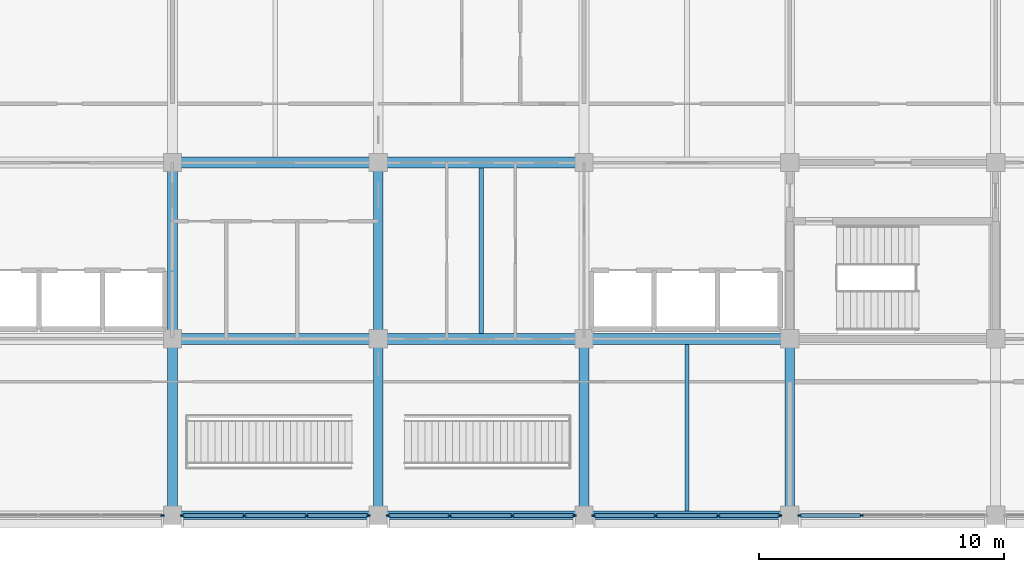
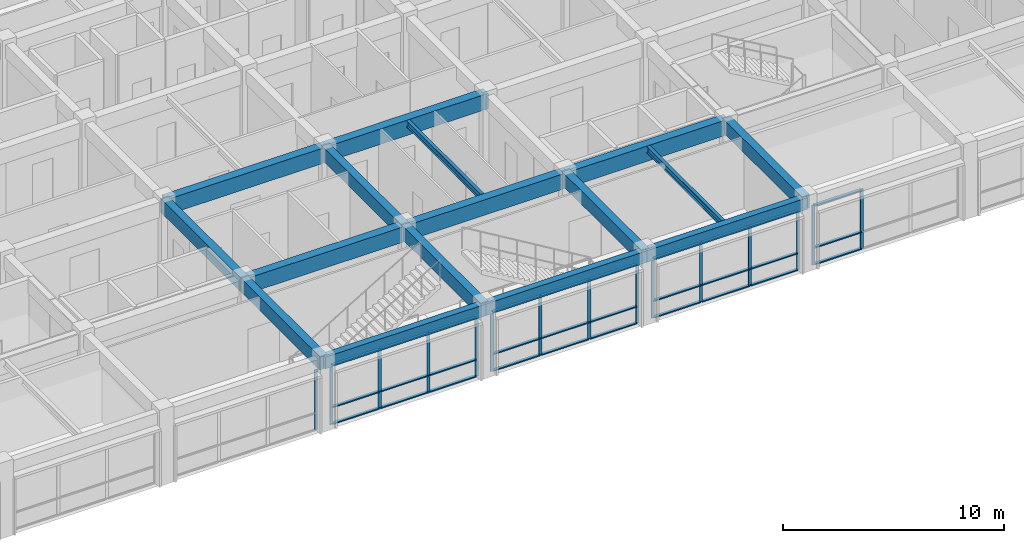
# One storey, part 5 of 27: 45 members, 16 beams, 5 elements without a shape of their own.
"""IFC4 building model written with IfcOpenShell, lengths in metres."""

from ifc_helpers import new_model, si_unit, direction, frame, origin, origin_2d, place, context, subcontext, project, spatial, rectangle, i_section, extrude, material, layer, layer_set, material_profile, profile_set, type_object, element, aggregate, save


model = new_model("IFC4")

# Units and contexts
model_context = context("Model", 3, precision=1e-05, world=origin(), true_north=direction((0.0, 1.0)))
body_context = subcontext(model_context, "Body", "Model", "MODEL_VIEW")
ifc_project = project(units=[si_unit("LENGTHUNIT", "METRE"), si_unit("AREAUNIT", "SQUARE_METRE"), si_unit("VOLUMEUNIT", "CUBIC_METRE"), si_unit("PLANEANGLEUNIT", "RADIAN"), si_unit("MASSUNIT", "GRAM", prefix="KILO")], contexts=[model_context])

# Site, building, storey
site_placement = place(None, origin())
site = spatial("IfcSite", under=ifc_project, at=site_placement, CompositionType="ELEMENT")
building_placement = place(site_placement, origin())
building = spatial("IfcBuilding", under=site, at=building_placement, Name="Chengyuan Square Courthouse", CompositionType="ELEMENT")
storey_placement = place(building_placement, frame((0.0, 0.0, 39.300048828125)))
storey = spatial("IfcBuildingStorey", under=building, at=storey_placement, Name="L09", CompositionType="ELEMENT", Elevation=39.300048828125)

# Beams
ifc_material_1 = material(Name="Concrete C40", Category="concrete")
ifc_material_profile_1 = material_profile(ifc_material_1, rectangle(XDim=0.449951171875, YDim=0.85009765625, at=origin_2d()), Name="RC-BM-450x850")
ifc_profile_set_1 = profile_set([ifc_material_profile_1], Name="Concrete C40")
beam_type_1 = type_object("IfcBeamType", Name="BM-01", PredefinedType="USERDEFINED", material=ifc_profile_set_1)
for number, where, z_axis, x_axis, name in (
    (1, (75.60009765625, 86.39990234375, 3.52490234375), (1.0, 0.0, 0.0), (0.0, 1.0, 0.0), "Girder BM-L09-3911"),
    (2, (84.0, 86.39990234375, 3.52490234375), (1.0, 0.0, 0.0), (0.0, 1.0, 0.0), "Girder BM-L09-3912"),
):
    element("IfcBeam", number, at=place(storey_placement, frame(where, z_axis=z_axis, x_axis=x_axis)), inside=storey, type_object=beam_type_1, Name=name, ObjectType="GIRDER", PredefinedType="USERDEFINED", context=body_context, shape_type="SweptSolid", body=[
        extrude(rectangle(XDim=0.449951171875, YDim=0.85009765625, at=origin_2d()), origin(), (0.0, 0.0, 1.0), 8.39990234375),
    ])
beam_1_placement = place(storey_placement, frame((92.39990234375, 86.39990234375, 3.52490234375), z_axis=(1.0, 0.0, 0.0), x_axis=(0.0, 1.0, 0.0)))
element("IfcBeam", 3, at=beam_1_placement, inside=storey, type_object=beam_type_1, Name="Girder BM-L09-3913", ObjectType="GIRDER", PredefinedType="USERDEFINED", context=body_context, shape_type="SweptSolid", body=[
    extrude(rectangle(XDim=0.449951171875, YDim=0.85009765625, at=origin_2d()), origin(), (0.0, 0.0, 1.0), 8.400146484375),
])
for number, where, z_axis, x_axis, name in (
    (4, (75.60009765625, 93.60009765625, 3.52490234375), (1.0, 0.0, 0.0), (0.0, 1.0, 0.0), "Girder BM-L09-3921"),
    (5, (84.0, 93.60009765625, 3.52490234375), (1.0, 0.0, 0.0), (0.0, 1.0, 0.0), "Girder BM-L09-3922"),
):
    element("IfcBeam", number, at=place(storey_placement, frame(where, z_axis=z_axis, x_axis=x_axis)), inside=storey, type_object=beam_type_1, Name=name, ObjectType="GIRDER", PredefinedType="USERDEFINED", context=body_context, shape_type="SweptSolid", body=[
        extrude(rectangle(XDim=0.449951171875, YDim=0.85009765625, at=origin_2d()), origin(), (0.0, 0.0, 1.0), 8.39990234375),
    ])
ifc_material_profile_2 = material_profile(ifc_material_1, rectangle(XDim=0.39990234375, YDim=0.75, at=origin_2d()), Name="RC-BM-400x750")
ifc_profile_set_2 = profile_set([ifc_material_profile_2], Name="Concrete C40")
beam_type_2 = type_object("IfcBeamType", Name="BM-02", PredefinedType="USERDEFINED", material=ifc_profile_set_2)
beam_2_placement = place(storey_placement, frame((75.60009765625, 79.199951171875, 3.574951171875), z_axis=(0.0, 1.0, 0.0), x_axis=(-1.0, 0.0, 0.0)))
element("IfcBeam", 6, at=beam_2_placement, inside=storey, type_object=beam_type_2, Name="Girder BM-L09-3974", ObjectType="GIRDER", PredefinedType="USERDEFINED", context=body_context, shape_type="SweptSolid", body=[
    extrude(rectangle(XDim=0.39990234375, YDim=0.75, at=origin_2d()), origin(), (0.0, 0.0, 1.0), 7.199951171875),
])
beam_3_placement = place(storey_placement, frame((75.60009765625, 86.39990234375, 3.574951171875), z_axis=(0.0, 1.0, 0.0), x_axis=(-1.0, 0.0, 0.0)))
element("IfcBeam", 7, at=beam_3_placement, inside=storey, type_object=beam_type_2, Name="Girder BM-L09-3975", ObjectType="GIRDER", PredefinedType="USERDEFINED", context=body_context, shape_type="SweptSolid", body=[
    extrude(rectangle(XDim=0.39990234375, YDim=0.75, at=origin_2d()), origin(), (0.0, 0.0, 1.0), 7.2001953125),
])
beam_4_placement = place(storey_placement, frame((84.0, 79.199951171875, 3.574951171875), z_axis=(0.0, 1.0, 0.0), x_axis=(-1.0, 0.0, 0.0)))
element("IfcBeam", 8, at=beam_4_placement, inside=storey, type_object=beam_type_2, Name="Girder BM-L09-3979", ObjectType="GIRDER", PredefinedType="USERDEFINED", context=body_context, shape_type="SweptSolid", body=[
    extrude(rectangle(XDim=0.39990234375, YDim=0.75, at=origin_2d()), origin(), (0.0, 0.0, 1.0), 7.199951171875),
])
beam_5_placement = place(storey_placement, frame((84.0, 86.39990234375, 3.574951171875), z_axis=(0.0, 1.0, 0.0), x_axis=(-1.0, 0.0, 0.0)))
element("IfcBeam", 9, at=beam_5_placement, inside=storey, type_object=beam_type_2, Name="Girder BM-L09-3980", ObjectType="GIRDER", PredefinedType="USERDEFINED", context=body_context, shape_type="SweptSolid", body=[
    extrude(rectangle(XDim=0.39990234375, YDim=0.75, at=origin_2d()), origin(), (0.0, 0.0, 1.0), 7.2001953125),
])
for number, where, z_axis, x_axis, name in (
    (10, (92.39990234375, 79.199951171875, 3.574951171875), (0.0, 1.0, 0.0), (-1.0, 0.0, 0.0), "Girder BM-L09-3984"),
    (11, (100.800048828125, 79.199951171875, 3.574951171875), (0.0, 1.0, 0.0), (-1.0, 0.0, 0.0), "Girder BM-L09-3989"),
):
    element("IfcBeam", number, at=place(storey_placement, frame(where, z_axis=z_axis, x_axis=x_axis)), inside=storey, type_object=beam_type_2, Name=name, ObjectType="GIRDER", PredefinedType="USERDEFINED", context=body_context, shape_type="SweptSolid", body=[
        extrude(rectangle(XDim=0.39990234375, YDim=0.75, at=origin_2d()), origin(), (0.0, 0.0, 1.0), 7.199951171875),
    ])
ifc_material_profile_3 = material_profile(ifc_material_1, rectangle(XDim=0.35009765625, YDim=0.64990234375, at=origin_2d()), Name="RC-BM-350x650")
ifc_profile_set_3 = profile_set([ifc_material_profile_3], Name="Concrete C40")
beam_type_3 = type_object("IfcBeamType", Name="BM-03", PredefinedType="SPANDREL", material=ifc_profile_set_3)
for number, where, z_axis, x_axis, name in (
    (12, (75.60009765625, 79.199951171875, 3.625), (1.0, 0.0, 0.0), (0.0, 1.0, 0.0), "Girder BM-L09-3901"),
    (13, (84.0, 79.199951171875, 3.625), (1.0, 0.0, 0.0), (0.0, 1.0, 0.0), "Girder BM-L09-3902"),
):
    element("IfcBeam", number, at=place(storey_placement, frame(where, z_axis=z_axis, x_axis=x_axis)), inside=storey, type_object=beam_type_3, Name=name, PredefinedType="SPANDREL", context=body_context, shape_type="SweptSolid", body=[
        extrude(rectangle(XDim=0.35009765625, YDim=0.64990234375, at=origin_2d()), origin(), (0.0, 0.0, 1.0), 8.39990234375),
    ])
beam_6_placement = place(storey_placement, frame((92.39990234375, 79.199951171875, 3.625), z_axis=(1.0, 0.0, 0.0), x_axis=(0.0, 1.0, 0.0)))
element("IfcBeam", 14, at=beam_6_placement, inside=storey, type_object=beam_type_3, Name="Girder BM-L09-3903", PredefinedType="SPANDREL", context=body_context, shape_type="SweptSolid", body=[
    extrude(rectangle(XDim=0.35009765625, YDim=0.64990234375, at=origin_2d()), origin(), (0.0, 0.0, 1.0), 8.400146484375),
])
ifc_material_2 = material(Name="Steel Q355B", Category="steel")
ifc_material_profile_4 = material_profile(ifc_material_2, i_section(OverallWidth=0.175048828125, OverallDepth=0.35009765625, WebThickness=0.007080078125, FlangeThickness=0.010986328125, at=origin_2d()), Name="HN 350x175x7x11")
ifc_profile_set_4 = profile_set([ifc_material_profile_4], Name="Steel Q355B")
beam_type_4 = type_object("IfcBeamType", Name="BM-08", PredefinedType="BEAM", material=ifc_profile_set_4)
beam_7_placement = place(storey_placement, frame((88.199951171875, 86.625, 3.77490234375), z_axis=(0.0, 1.0, 0.0), x_axis=(-1.0, 0.0, 0.0)))
element("IfcBeam", 15, at=beam_7_placement, inside=storey, type_object=beam_type_4, Name="Secondary Floor Beam SBM-L09-4018", PredefinedType="BEAM", context=body_context, shape_type="SweptSolid", body=[
    extrude(i_section(OverallWidth=0.175048828125, OverallDepth=0.35009765625, WebThickness=0.007080078125, FlangeThickness=0.010986328125, at=origin_2d()), origin(), (0.0, 0.0, 1.0), 6.75),
])
beam_8_placement = place(storey_placement, frame((96.60009765625, 79.375, 3.77490234375), z_axis=(0.0, 1.0, 0.0), x_axis=(-1.0, 0.0, 0.0)))
element("IfcBeam", 16, at=beam_8_placement, inside=storey, type_object=beam_type_4, Name="Secondary Floor Beam SBM-L09-4019", PredefinedType="BEAM", context=body_context, shape_type="SweptSolid", body=[
    extrude(i_section(OverallWidth=0.175048828125, OverallDepth=0.35009765625, WebThickness=0.007080078125, FlangeThickness=0.010986328125, at=origin_2d()), origin(), (0.0, 0.0, 1.0), 6.800048828125),
])

# Curtain wall, member
ifc_material_3 = material(Name="Unitised Aluminium and Triple Low-E Glass", Category="aluminium")
ifc_layer = layer(ifc_material_3, 0.159912109375)
ifc_layer_set = layer_set([ifc_layer], Name="Unitised Aluminium and Triple Low-E Glass")
curtain_wall_type = type_object("IfcCurtainWallType", Name="CW-01", PredefinedType="USERDEFINED", material=ifc_layer_set)
curtain_wall_1_placement = place(storey_placement, origin())
curtain_wall_1 = element("IfcCurtainWall", 17, at=curtain_wall_1_placement, inside=storey, type_object=curtain_wall_type, Name="Unitised Curtain Wall CW-L09-238", ObjectType="UNITISED CURTAIN WALL", PredefinedType="USERDEFINED")
ifc_material_4 = material(Name="Aluminium 6063-T6 Frame", Category="aluminium")
ifc_material_profile_5 = material_profile(ifc_material_4, rectangle(XDim=0.06005859375, YDim=0.159912109375, at=origin_2d()), Name="CW-MUL-60x160")
ifc_profile_set_5 = profile_set([ifc_material_profile_5], Name="Aluminium 6063-T6 Frame")
member_type_1 = type_object("IfcMemberType", Name="CWM-01", PredefinedType="MULLION", material=ifc_profile_set_5)
member_1_placement = place(storey_placement, frame((75.195068359375, 79.199951171875, 0.0), z_axis=(0.0, 0.0, 1.0), x_axis=(0.0, 1.0, 0.0)))
member_1 = element("IfcMember", 18, at=member_1_placement, type_object=member_type_1, Name="CW-01 mullion 4", PredefinedType="MULLION", context=body_context, shape_type="SweptSolid", body=[
    extrude(rectangle(XDim=0.06005859375, YDim=0.159912109375, at=origin_2d()), origin(), (0.0, 0.0, 1.0), 3.300048828125),
])
aggregate(curtain_wall_1, [member_1])

# Curtain wall, members
curtain_wall_2_placement = place(storey_placement, origin())
curtain_wall_2 = element("IfcCurtainWall", 19, at=curtain_wall_2_placement, inside=storey, type_object=curtain_wall_type, Name="Unitised Curtain Wall CW-L09-240", ObjectType="UNITISED CURTAIN WALL", PredefinedType="USERDEFINED")
member_2_placement = place(storey_placement, frame((76.0048828125, 79.199951171875, 0.0), z_axis=(0.0, 0.0, 1.0), x_axis=(0.0, 1.0, 0.0)))
member_2 = element("IfcMember", 20, at=member_2_placement, type_object=member_type_1, Name="CW-01 mullion 1", PredefinedType="MULLION", context=body_context, shape_type="SweptSolid", body=[
    extrude(rectangle(XDim=0.06005859375, YDim=0.159912109375, at=origin_2d()), origin(), (0.0, 0.0, 1.0), 3.300048828125),
])
member_3_placement = place(storey_placement, frame((78.52490234375, 79.199951171875, 0.0), z_axis=(0.0, 0.0, 1.0), x_axis=(0.0, 1.0, 0.0)))
member_3 = element("IfcMember", 21, at=member_3_placement, type_object=member_type_1, Name="CW-01 mullion 2", PredefinedType="MULLION", context=body_context, shape_type="SweptSolid", body=[
    extrude(rectangle(XDim=0.06005859375, YDim=0.159912109375, at=origin_2d()), origin(), (0.0, 0.0, 1.0), 3.300048828125),
])
member_4_placement = place(storey_placement, frame((81.074951171875, 79.199951171875, 0.0), z_axis=(0.0, 0.0, 1.0), x_axis=(0.0, 1.0, 0.0)))
member_4 = element("IfcMember", 22, at=member_4_placement, type_object=member_type_1, Name="CW-01 mullion 3", PredefinedType="MULLION", context=body_context, shape_type="SweptSolid", body=[
    extrude(rectangle(XDim=0.06005859375, YDim=0.159912109375, at=origin_2d()), origin(), (0.0, 0.0, 1.0), 3.300048828125),
])
member_5_placement = place(storey_placement, frame((83.594970703125, 79.199951171875, 0.0), z_axis=(0.0, 0.0, 1.0), x_axis=(0.0, 1.0, 0.0)))
member_5 = element("IfcMember", 23, at=member_5_placement, type_object=member_type_1, Name="CW-01 mullion 4", PredefinedType="MULLION", context=body_context, shape_type="SweptSolid", body=[
    extrude(rectangle(XDim=0.06005859375, YDim=0.159912109375, at=origin_2d()), origin(), (0.0, 0.0, 1.0), 3.300048828125),
])

curtain_wall_3_placement = place(storey_placement, origin())
curtain_wall_3 = element("IfcCurtainWall", 24, at=curtain_wall_3_placement, inside=storey, type_object=curtain_wall_type, Name="Unitised Curtain Wall CW-L09-241", ObjectType="UNITISED CURTAIN WALL", PredefinedType="USERDEFINED")
member_6_placement = place(storey_placement, frame((84.405029296875, 79.199951171875, 0.0), z_axis=(0.0, 0.0, 1.0), x_axis=(0.0, 1.0, 0.0)))
member_6 = element("IfcMember", 25, at=member_6_placement, type_object=member_type_1, Name="CW-01 mullion 1", PredefinedType="MULLION", context=body_context, shape_type="SweptSolid", body=[
    extrude(rectangle(XDim=0.06005859375, YDim=0.159912109375, at=origin_2d()), origin(), (0.0, 0.0, 1.0), 3.300048828125),
])
member_7_placement = place(storey_placement, frame((86.925048828125, 79.199951171875, 0.0), z_axis=(0.0, 0.0, 1.0), x_axis=(0.0, 1.0, 0.0)))
member_7 = element("IfcMember", 26, at=member_7_placement, type_object=member_type_1, Name="CW-01 mullion 2", PredefinedType="MULLION", context=body_context, shape_type="SweptSolid", body=[
    extrude(rectangle(XDim=0.06005859375, YDim=0.159912109375, at=origin_2d()), origin(), (0.0, 0.0, 1.0), 3.300048828125),
])
member_8_placement = place(storey_placement, frame((89.47509765625, 79.199951171875, 0.0), z_axis=(0.0, 0.0, 1.0), x_axis=(0.0, 1.0, 0.0)))
member_8 = element("IfcMember", 27, at=member_8_placement, type_object=member_type_1, Name="CW-01 mullion 3", PredefinedType="MULLION", context=body_context, shape_type="SweptSolid", body=[
    extrude(rectangle(XDim=0.06005859375, YDim=0.159912109375, at=origin_2d()), origin(), (0.0, 0.0, 1.0), 3.300048828125),
])
member_9_placement = place(storey_placement, frame((91.9951171875, 79.199951171875, 0.0), z_axis=(0.0, 0.0, 1.0), x_axis=(0.0, 1.0, 0.0)))
member_9 = element("IfcMember", 28, at=member_9_placement, type_object=member_type_1, Name="CW-01 mullion 4", PredefinedType="MULLION", context=body_context, shape_type="SweptSolid", body=[
    extrude(rectangle(XDim=0.06005859375, YDim=0.159912109375, at=origin_2d()), origin(), (0.0, 0.0, 1.0), 3.300048828125),
])

curtain_wall_4_placement = place(storey_placement, origin())
curtain_wall_4 = element("IfcCurtainWall", 29, at=curtain_wall_4_placement, inside=storey, type_object=curtain_wall_type, Name="Unitised Curtain Wall CW-L09-243", ObjectType="UNITISED CURTAIN WALL", PredefinedType="USERDEFINED")
member_10_placement = place(storey_placement, frame((92.804931640625, 79.199951171875, 0.0), z_axis=(0.0, 0.0, 1.0), x_axis=(0.0, 1.0, 0.0)))
member_10 = element("IfcMember", 30, at=member_10_placement, type_object=member_type_1, Name="CW-01 mullion 1", PredefinedType="MULLION", context=body_context, shape_type="SweptSolid", body=[
    extrude(rectangle(XDim=0.06005859375, YDim=0.159912109375, at=origin_2d()), origin(), (0.0, 0.0, 1.0), 3.300048828125),
])
member_11_placement = place(storey_placement, frame((95.324951171875, 79.199951171875, 0.0), z_axis=(0.0, 0.0, 1.0), x_axis=(0.0, 1.0, 0.0)))
member_11 = element("IfcMember", 31, at=member_11_placement, type_object=member_type_1, Name="CW-01 mullion 2", PredefinedType="MULLION", context=body_context, shape_type="SweptSolid", body=[
    extrude(rectangle(XDim=0.06005859375, YDim=0.159912109375, at=origin_2d()), origin(), (0.0, 0.0, 1.0), 3.300048828125),
])
member_12_placement = place(storey_placement, frame((97.875, 79.199951171875, 0.0), z_axis=(0.0, 0.0, 1.0), x_axis=(0.0, 1.0, 0.0)))
member_12 = element("IfcMember", 32, at=member_12_placement, type_object=member_type_1, Name="CW-01 mullion 3", PredefinedType="MULLION", context=body_context, shape_type="SweptSolid", body=[
    extrude(rectangle(XDim=0.06005859375, YDim=0.159912109375, at=origin_2d()), origin(), (0.0, 0.0, 1.0), 3.300048828125),
])
member_13_placement = place(storey_placement, frame((100.39501953125, 79.199951171875, 0.0), z_axis=(0.0, 0.0, 1.0), x_axis=(0.0, 1.0, 0.0)))
member_13 = element("IfcMember", 33, at=member_13_placement, type_object=member_type_1, Name="CW-01 mullion 4", PredefinedType="MULLION", context=body_context, shape_type="SweptSolid", body=[
    extrude(rectangle(XDim=0.06005859375, YDim=0.159912109375, at=origin_2d()), origin(), (0.0, 0.0, 1.0), 3.300048828125),
])

curtain_wall_5_placement = place(storey_placement, origin())
curtain_wall_5 = element("IfcCurtainWall", 34, at=curtain_wall_5_placement, inside=storey, type_object=curtain_wall_type, Name="Unitised Curtain Wall CW-L09-244", ObjectType="UNITISED CURTAIN WALL", PredefinedType="USERDEFINED")
member_14_placement = place(storey_placement, frame((101.205078125, 79.199951171875, 0.0), z_axis=(0.0, 0.0, 1.0), x_axis=(0.0, 1.0, 0.0)))
member_14 = element("IfcMember", 35, at=member_14_placement, type_object=member_type_1, Name="CW-01 mullion 1", PredefinedType="MULLION", context=body_context, shape_type="SweptSolid", body=[
    extrude(rectangle(XDim=0.06005859375, YDim=0.159912109375, at=origin_2d()), origin(), (0.0, 0.0, 1.0), 3.300048828125),
])
member_15_placement = place(storey_placement, frame((103.72509765625, 79.199951171875, 0.0), z_axis=(0.0, 0.0, 1.0), x_axis=(0.0, 1.0, 0.0)))
member_15 = element("IfcMember", 36, at=member_15_placement, type_object=member_type_1, Name="CW-01 mullion 2", PredefinedType="MULLION", context=body_context, shape_type="SweptSolid", body=[
    extrude(rectangle(XDim=0.06005859375, YDim=0.159912109375, at=origin_2d()), origin(), (0.0, 0.0, 1.0), 3.300048828125),
])

# Member
ifc_material_profile_6 = material_profile(ifc_material_4, rectangle(XDim=0.159912109375, YDim=0.06005859375, at=origin_2d()), Name="CW-TRN-60x120")
ifc_profile_set_6 = profile_set([ifc_material_profile_6], Name="Aluminium 6063-T6 Frame")
member_type_2 = type_object("IfcMemberType", Name="CWT-01", PredefinedType="USERDEFINED", material=ifc_profile_set_6)
member_16_placement = place(storey_placement, frame((76.034912109375, 79.199951171875, 0.030029296875), z_axis=(1.0, 0.0, 0.0), x_axis=(0.0, 1.0, 0.0)))
member_16 = element("IfcMember", 37, at=member_16_placement, type_object=member_type_2, Name="CW-01 transom 1.1", ObjectType="TRANSOM", PredefinedType="USERDEFINED", context=body_context, shape_type="SweptSolid", body=[
    extrude(rectangle(XDim=0.159912109375, YDim=0.06005859375, at=origin_2d()), origin(), (0.0, 0.0, 1.0), 2.460205078125),
])

member_17_placement = place(storey_placement, frame((76.034912109375, 79.199951171875, 0.949951171875), z_axis=(1.0, 0.0, 0.0), x_axis=(0.0, 1.0, 0.0)))
member_17 = element("IfcMember", 38, at=member_17_placement, type_object=member_type_2, Name="CW-01 transom 1.2", ObjectType="TRANSOM", PredefinedType="USERDEFINED", context=body_context, shape_type="SweptSolid", body=[
    extrude(rectangle(XDim=0.159912109375, YDim=0.06005859375, at=origin_2d()), origin(), (0.0, 0.0, 1.0), 2.460205078125),
])

member_18_placement = place(storey_placement, frame((76.034912109375, 79.199951171875, 3.27001953125), z_axis=(1.0, 0.0, 0.0), x_axis=(0.0, 1.0, 0.0)))
member_18 = element("IfcMember", 39, at=member_18_placement, type_object=member_type_2, Name="CW-01 transom 1.3", ObjectType="TRANSOM", PredefinedType="USERDEFINED", context=body_context, shape_type="SweptSolid", body=[
    extrude(rectangle(XDim=0.159912109375, YDim=0.06005859375, at=origin_2d()), origin(), (0.0, 0.0, 1.0), 2.460205078125),
])

member_19_placement = place(storey_placement, frame((78.554931640625, 79.199951171875, 0.030029296875), z_axis=(1.0, 0.0, 0.0), x_axis=(0.0, 1.0, 0.0)))
member_19 = element("IfcMember", 40, at=member_19_placement, type_object=member_type_2, Name="CW-01 transom 2.1", ObjectType="TRANSOM", PredefinedType="USERDEFINED", context=body_context, shape_type="SweptSolid", body=[
    extrude(rectangle(XDim=0.159912109375, YDim=0.06005859375, at=origin_2d()), origin(), (0.0, 0.0, 1.0), 2.489990234375),
])

member_20_placement = place(storey_placement, frame((78.554931640625, 79.199951171875, 0.949951171875), z_axis=(1.0, 0.0, 0.0), x_axis=(0.0, 1.0, 0.0)))
member_20 = element("IfcMember", 41, at=member_20_placement, type_object=member_type_2, Name="CW-01 transom 2.2", ObjectType="TRANSOM", PredefinedType="USERDEFINED", context=body_context, shape_type="SweptSolid", body=[
    extrude(rectangle(XDim=0.159912109375, YDim=0.06005859375, at=origin_2d()), origin(), (0.0, 0.0, 1.0), 2.489990234375),
])

member_21_placement = place(storey_placement, frame((78.554931640625, 79.199951171875, 3.27001953125), z_axis=(1.0, 0.0, 0.0), x_axis=(0.0, 1.0, 0.0)))
member_21 = element("IfcMember", 42, at=member_21_placement, type_object=member_type_2, Name="CW-01 transom 2.3", ObjectType="TRANSOM", PredefinedType="USERDEFINED", context=body_context, shape_type="SweptSolid", body=[
    extrude(rectangle(XDim=0.159912109375, YDim=0.06005859375, at=origin_2d()), origin(), (0.0, 0.0, 1.0), 2.489990234375),
])

member_22_placement = place(storey_placement, frame((81.10498046875, 79.199951171875, 0.030029296875), z_axis=(1.0, 0.0, 0.0), x_axis=(0.0, 1.0, 0.0)))
member_22 = element("IfcMember", 43, at=member_22_placement, type_object=member_type_2, Name="CW-01 transom 3.1", ObjectType="TRANSOM", PredefinedType="USERDEFINED", context=body_context, shape_type="SweptSolid", body=[
    extrude(rectangle(XDim=0.159912109375, YDim=0.06005859375, at=origin_2d()), origin(), (0.0, 0.0, 1.0), 2.4599609375),
])

member_23_placement = place(storey_placement, frame((81.10498046875, 79.199951171875, 0.949951171875), z_axis=(1.0, 0.0, 0.0), x_axis=(0.0, 1.0, 0.0)))
member_23 = element("IfcMember", 44, at=member_23_placement, type_object=member_type_2, Name="CW-01 transom 3.2", ObjectType="TRANSOM", PredefinedType="USERDEFINED", context=body_context, shape_type="SweptSolid", body=[
    extrude(rectangle(XDim=0.159912109375, YDim=0.06005859375, at=origin_2d()), origin(), (0.0, 0.0, 1.0), 2.4599609375),
])

member_24_placement = place(storey_placement, frame((81.10498046875, 79.199951171875, 3.27001953125), z_axis=(1.0, 0.0, 0.0), x_axis=(0.0, 1.0, 0.0)))
member_24 = element("IfcMember", 45, at=member_24_placement, type_object=member_type_2, Name="CW-01 transom 3.3", ObjectType="TRANSOM", PredefinedType="USERDEFINED", context=body_context, shape_type="SweptSolid", body=[
    extrude(rectangle(XDim=0.159912109375, YDim=0.06005859375, at=origin_2d()), origin(), (0.0, 0.0, 1.0), 2.4599609375),
])

aggregate(curtain_wall_2, [member_2, member_3, member_4, member_5, member_16, member_17, member_18, member_19, member_20, member_21, member_22, member_23, member_24])

member_25_placement = place(storey_placement, frame((84.43505859375, 79.199951171875, 0.030029296875), z_axis=(1.0, 0.0, 0.0), x_axis=(0.0, 1.0, 0.0)))
member_25 = element("IfcMember", 46, at=member_25_placement, type_object=member_type_2, Name="CW-01 transom 1.1", ObjectType="TRANSOM", PredefinedType="USERDEFINED", context=body_context, shape_type="SweptSolid", body=[
    extrude(rectangle(XDim=0.159912109375, YDim=0.06005859375, at=origin_2d()), origin(), (0.0, 0.0, 1.0), 2.4599609375),
])

member_26_placement = place(storey_placement, frame((84.43505859375, 79.199951171875, 0.949951171875), z_axis=(1.0, 0.0, 0.0), x_axis=(0.0, 1.0, 0.0)))
member_26 = element("IfcMember", 47, at=member_26_placement, type_object=member_type_2, Name="CW-01 transom 1.2", ObjectType="TRANSOM", PredefinedType="USERDEFINED", context=body_context, shape_type="SweptSolid", body=[
    extrude(rectangle(XDim=0.159912109375, YDim=0.06005859375, at=origin_2d()), origin(), (0.0, 0.0, 1.0), 2.4599609375),
])

member_27_placement = place(storey_placement, frame((84.43505859375, 79.199951171875, 3.27001953125), z_axis=(1.0, 0.0, 0.0), x_axis=(0.0, 1.0, 0.0)))
member_27 = element("IfcMember", 48, at=member_27_placement, type_object=member_type_2, Name="CW-01 transom 1.3", ObjectType="TRANSOM", PredefinedType="USERDEFINED", context=body_context, shape_type="SweptSolid", body=[
    extrude(rectangle(XDim=0.159912109375, YDim=0.06005859375, at=origin_2d()), origin(), (0.0, 0.0, 1.0), 2.4599609375),
])

member_28_placement = place(storey_placement, frame((86.955078125, 79.199951171875, 0.030029296875), z_axis=(1.0, 0.0, 0.0), x_axis=(0.0, 1.0, 0.0)))
member_28 = element("IfcMember", 49, at=member_28_placement, type_object=member_type_2, Name="CW-01 transom 2.1", ObjectType="TRANSOM", PredefinedType="USERDEFINED", context=body_context, shape_type="SweptSolid", body=[
    extrude(rectangle(XDim=0.159912109375, YDim=0.06005859375, at=origin_2d()), origin(), (0.0, 0.0, 1.0), 2.489990234375),
])

member_29_placement = place(storey_placement, frame((86.955078125, 79.199951171875, 0.949951171875), z_axis=(1.0, 0.0, 0.0), x_axis=(0.0, 1.0, 0.0)))
member_29 = element("IfcMember", 50, at=member_29_placement, type_object=member_type_2, Name="CW-01 transom 2.2", ObjectType="TRANSOM", PredefinedType="USERDEFINED", context=body_context, shape_type="SweptSolid", body=[
    extrude(rectangle(XDim=0.159912109375, YDim=0.06005859375, at=origin_2d()), origin(), (0.0, 0.0, 1.0), 2.489990234375),
])

member_30_placement = place(storey_placement, frame((86.955078125, 79.199951171875, 3.27001953125), z_axis=(1.0, 0.0, 0.0), x_axis=(0.0, 1.0, 0.0)))
member_30 = element("IfcMember", 51, at=member_30_placement, type_object=member_type_2, Name="CW-01 transom 2.3", ObjectType="TRANSOM", PredefinedType="USERDEFINED", context=body_context, shape_type="SweptSolid", body=[
    extrude(rectangle(XDim=0.159912109375, YDim=0.06005859375, at=origin_2d()), origin(), (0.0, 0.0, 1.0), 2.489990234375),
])

member_31_placement = place(storey_placement, frame((89.5048828125, 79.199951171875, 0.030029296875), z_axis=(1.0, 0.0, 0.0), x_axis=(0.0, 1.0, 0.0)))
member_31 = element("IfcMember", 52, at=member_31_placement, type_object=member_type_2, Name="CW-01 transom 3.1", ObjectType="TRANSOM", PredefinedType="USERDEFINED", context=body_context, shape_type="SweptSolid", body=[
    extrude(rectangle(XDim=0.159912109375, YDim=0.06005859375, at=origin_2d()), origin(), (0.0, 0.0, 1.0), 2.460205078125),
])

member_32_placement = place(storey_placement, frame((89.5048828125, 79.199951171875, 0.949951171875), z_axis=(1.0, 0.0, 0.0), x_axis=(0.0, 1.0, 0.0)))
member_32 = element("IfcMember", 53, at=member_32_placement, type_object=member_type_2, Name="CW-01 transom 3.2", ObjectType="TRANSOM", PredefinedType="USERDEFINED", context=body_context, shape_type="SweptSolid", body=[
    extrude(rectangle(XDim=0.159912109375, YDim=0.06005859375, at=origin_2d()), origin(), (0.0, 0.0, 1.0), 2.460205078125),
])

member_33_placement = place(storey_placement, frame((89.5048828125, 79.199951171875, 3.27001953125), z_axis=(1.0, 0.0, 0.0), x_axis=(0.0, 1.0, 0.0)))
member_33 = element("IfcMember", 54, at=member_33_placement, type_object=member_type_2, Name="CW-01 transom 3.3", ObjectType="TRANSOM", PredefinedType="USERDEFINED", context=body_context, shape_type="SweptSolid", body=[
    extrude(rectangle(XDim=0.159912109375, YDim=0.06005859375, at=origin_2d()), origin(), (0.0, 0.0, 1.0), 2.460205078125),
])

aggregate(curtain_wall_3, [member_6, member_7, member_8, member_9, member_25, member_26, member_27, member_28, member_29, member_30, member_31, member_32, member_33])

member_34_placement = place(storey_placement, frame((92.8349609375, 79.199951171875, 0.030029296875), z_axis=(1.0, 0.0, 0.0), x_axis=(0.0, 1.0, 0.0)))
member_34 = element("IfcMember", 55, at=member_34_placement, type_object=member_type_2, Name="CW-01 transom 1.1", ObjectType="TRANSOM", PredefinedType="USERDEFINED", context=body_context, shape_type="SweptSolid", body=[
    extrude(rectangle(XDim=0.159912109375, YDim=0.06005859375, at=origin_2d()), origin(), (0.0, 0.0, 1.0), 2.4599609375),
])

member_35_placement = place(storey_placement, frame((92.8349609375, 79.199951171875, 0.949951171875), z_axis=(1.0, 0.0, 0.0), x_axis=(0.0, 1.0, 0.0)))
member_35 = element("IfcMember", 56, at=member_35_placement, type_object=member_type_2, Name="CW-01 transom 1.2", ObjectType="TRANSOM", PredefinedType="USERDEFINED", context=body_context, shape_type="SweptSolid", body=[
    extrude(rectangle(XDim=0.159912109375, YDim=0.06005859375, at=origin_2d()), origin(), (0.0, 0.0, 1.0), 2.4599609375),
])

member_36_placement = place(storey_placement, frame((92.8349609375, 79.199951171875, 3.27001953125), z_axis=(1.0, 0.0, 0.0), x_axis=(0.0, 1.0, 0.0)))
member_36 = element("IfcMember", 57, at=member_36_placement, type_object=member_type_2, Name="CW-01 transom 1.3", ObjectType="TRANSOM", PredefinedType="USERDEFINED", context=body_context, shape_type="SweptSolid", body=[
    extrude(rectangle(XDim=0.159912109375, YDim=0.06005859375, at=origin_2d()), origin(), (0.0, 0.0, 1.0), 2.4599609375),
])

member_37_placement = place(storey_placement, frame((95.35498046875, 79.199951171875, 0.030029296875), z_axis=(1.0, 0.0, 0.0), x_axis=(0.0, 1.0, 0.0)))
member_37 = element("IfcMember", 58, at=member_37_placement, type_object=member_type_2, Name="CW-01 transom 2.1", ObjectType="TRANSOM", PredefinedType="USERDEFINED", context=body_context, shape_type="SweptSolid", body=[
    extrude(rectangle(XDim=0.159912109375, YDim=0.06005859375, at=origin_2d()), origin(), (0.0, 0.0, 1.0), 2.489990234375),
])

member_38_placement = place(storey_placement, frame((95.35498046875, 79.199951171875, 0.949951171875), z_axis=(1.0, 0.0, 0.0), x_axis=(0.0, 1.0, 0.0)))
member_38 = element("IfcMember", 59, at=member_38_placement, type_object=member_type_2, Name="CW-01 transom 2.2", ObjectType="TRANSOM", PredefinedType="USERDEFINED", context=body_context, shape_type="SweptSolid", body=[
    extrude(rectangle(XDim=0.159912109375, YDim=0.06005859375, at=origin_2d()), origin(), (0.0, 0.0, 1.0), 2.489990234375),
])

member_39_placement = place(storey_placement, frame((95.35498046875, 79.199951171875, 3.27001953125), z_axis=(1.0, 0.0, 0.0), x_axis=(0.0, 1.0, 0.0)))
member_39 = element("IfcMember", 60, at=member_39_placement, type_object=member_type_2, Name="CW-01 transom 2.3", ObjectType="TRANSOM", PredefinedType="USERDEFINED", context=body_context, shape_type="SweptSolid", body=[
    extrude(rectangle(XDim=0.159912109375, YDim=0.06005859375, at=origin_2d()), origin(), (0.0, 0.0, 1.0), 2.489990234375),
])

member_40_placement = place(storey_placement, frame((97.905029296875, 79.199951171875, 0.030029296875), z_axis=(1.0, 0.0, 0.0), x_axis=(0.0, 1.0, 0.0)))
member_40 = element("IfcMember", 61, at=member_40_placement, type_object=member_type_2, Name="CW-01 transom 3.1", ObjectType="TRANSOM", PredefinedType="USERDEFINED", context=body_context, shape_type="SweptSolid", body=[
    extrude(rectangle(XDim=0.159912109375, YDim=0.06005859375, at=origin_2d()), origin(), (0.0, 0.0, 1.0), 2.4599609375),
])

member_41_placement = place(storey_placement, frame((97.905029296875, 79.199951171875, 0.949951171875), z_axis=(1.0, 0.0, 0.0), x_axis=(0.0, 1.0, 0.0)))
member_41 = element("IfcMember", 62, at=member_41_placement, type_object=member_type_2, Name="CW-01 transom 3.2", ObjectType="TRANSOM", PredefinedType="USERDEFINED", context=body_context, shape_type="SweptSolid", body=[
    extrude(rectangle(XDim=0.159912109375, YDim=0.06005859375, at=origin_2d()), origin(), (0.0, 0.0, 1.0), 2.4599609375),
])

member_42_placement = place(storey_placement, frame((97.905029296875, 79.199951171875, 3.27001953125), z_axis=(1.0, 0.0, 0.0), x_axis=(0.0, 1.0, 0.0)))
member_42 = element("IfcMember", 63, at=member_42_placement, type_object=member_type_2, Name="CW-01 transom 3.3", ObjectType="TRANSOM", PredefinedType="USERDEFINED", context=body_context, shape_type="SweptSolid", body=[
    extrude(rectangle(XDim=0.159912109375, YDim=0.06005859375, at=origin_2d()), origin(), (0.0, 0.0, 1.0), 2.4599609375),
])

aggregate(curtain_wall_4, [member_10, member_11, member_12, member_13, member_34, member_35, member_36, member_37, member_38, member_39, member_40, member_41, member_42])

member_43_placement = place(storey_placement, frame((101.235107421875, 79.199951171875, 0.030029296875), z_axis=(1.0, 0.0, 0.0), x_axis=(0.0, 1.0, 0.0)))
member_43 = element("IfcMember", 64, at=member_43_placement, type_object=member_type_2, Name="CW-01 transom 1.1", ObjectType="TRANSOM", PredefinedType="USERDEFINED", context=body_context, shape_type="SweptSolid", body=[
    extrude(rectangle(XDim=0.159912109375, YDim=0.06005859375, at=origin_2d()), origin(), (0.0, 0.0, 1.0), 2.4599609375),
])

member_44_placement = place(storey_placement, frame((101.235107421875, 79.199951171875, 0.949951171875), z_axis=(1.0, 0.0, 0.0), x_axis=(0.0, 1.0, 0.0)))
member_44 = element("IfcMember", 65, at=member_44_placement, type_object=member_type_2, Name="CW-01 transom 1.2", ObjectType="TRANSOM", PredefinedType="USERDEFINED", context=body_context, shape_type="SweptSolid", body=[
    extrude(rectangle(XDim=0.159912109375, YDim=0.06005859375, at=origin_2d()), origin(), (0.0, 0.0, 1.0), 2.4599609375),
])

member_45_placement = place(storey_placement, frame((101.235107421875, 79.199951171875, 3.27001953125), z_axis=(1.0, 0.0, 0.0), x_axis=(0.0, 1.0, 0.0)))
member_45 = element("IfcMember", 66, at=member_45_placement, type_object=member_type_2, Name="CW-01 transom 1.3", ObjectType="TRANSOM", PredefinedType="USERDEFINED", context=body_context, shape_type="SweptSolid", body=[
    extrude(rectangle(XDim=0.159912109375, YDim=0.06005859375, at=origin_2d()), origin(), (0.0, 0.0, 1.0), 2.4599609375),
])

aggregate(curtain_wall_5, [member_14, member_15, member_43, member_44, member_45])

save(model, "model.ifc")
